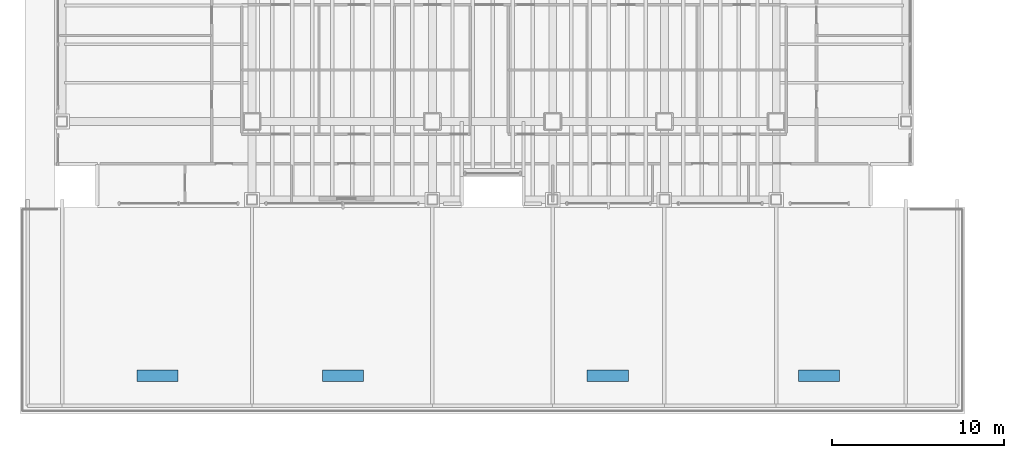
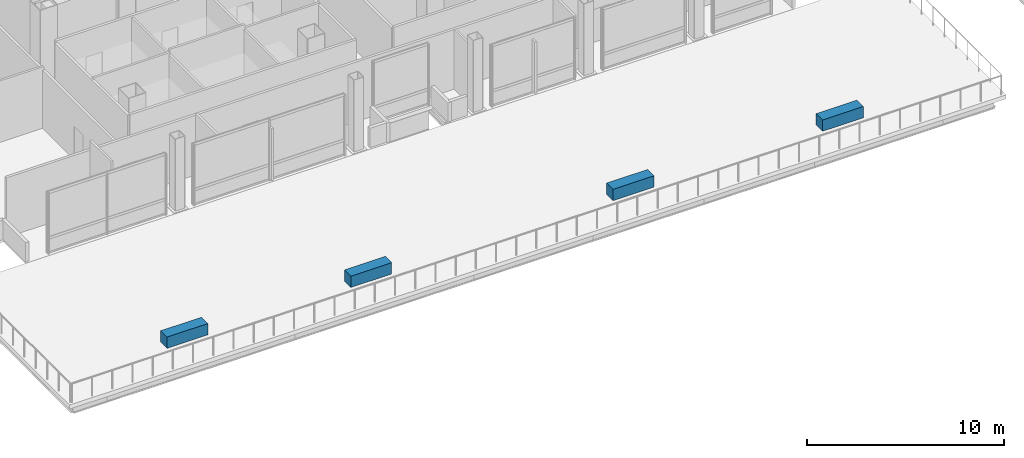
# One storey, part 30 of 34: 4 discrete accessories.
"""IFC4 building model written with IfcOpenShell, lengths in metres."""

from ifc_helpers import new_model, si_unit, direction, frame, origin, origin_2d, place, context, subcontext, project, spatial, rectangle, extrude, material, layer, layer_set, type_object, element, save


model = new_model("IFC4")

# Units and contexts
model_context = context("Model", 3, precision=1e-05, world=origin(), true_north=direction((0.0, 1.0)))
body_context = subcontext(model_context, "Body", "Model", "MODEL_VIEW")
ifc_project = project(units=[si_unit("LENGTHUNIT", "METRE"), si_unit("AREAUNIT", "SQUARE_METRE"), si_unit("VOLUMEUNIT", "CUBIC_METRE"), si_unit("PLANEANGLEUNIT", "RADIAN"), si_unit("MASSUNIT", "GRAM", prefix="KILO")], contexts=[model_context])

# Site, building, storey
site_placement = place(None, origin())
site = spatial("IfcSite", under=ifc_project, at=site_placement, CompositionType="ELEMENT")
building_placement = place(site_placement, origin())
building = spatial("IfcBuilding", under=site, at=building_placement, Name="Noeulbin Bourse Tower", CompositionType="ELEMENT")
storey_placement = place(building_placement, frame((0.0, 0.0, 22.0)))
storey = spatial("IfcBuildingStorey", under=building, at=storey_placement, Name="L05", CompositionType="ELEMENT", Elevation=22.0)

# Discrete accessories
ifc_material = material(Name="Architectural GFRC Concrete C40/50", Category="concrete")
ifc_layer = layer(ifc_material, 0.699951171875)
ifc_layer_set = layer_set([ifc_layer], Name="Architectural GFRC Concrete C40/50")
discrete_accessory_type = type_object("IfcDiscreteAccessoryType", Name="PLANTER-TER-2400", PredefinedType="USERDEFINED", material=ifc_layer_set)
for number, where, z_axis, x_axis, name in (
    (1, (8.0, 5.199951171875, 0.0), (0.0, 0.0, 1.0), (1.0, 0.0, 0.0), "Podium Terrace Tree Planter 1"),
    (2, (18.800048828125, 5.199951171875, 0.0), (0.0, 0.0, 1.0), (1.0, 0.0, 0.0), "Podium Terrace Tree Planter 2"),
    (3, (34.199951171875, 5.199951171875, 0.0), (0.0, 0.0, 1.0), (1.0, 0.0, 0.0), "Podium Terrace Tree Planter 3"),
    (4, (46.5, 5.199951171875, 0.0), (0.0, 0.0, 1.0), (1.0, 0.0, 0.0), "Podium Terrace Tree Planter 4"),
):
    element("IfcDiscreteAccessory", number, at=place(storey_placement, frame(where, z_axis=z_axis, x_axis=x_axis)), inside=storey, type_object=discrete_accessory_type, Name=name, ObjectType="PLANTER", PredefinedType="USERDEFINED", context=body_context, shape_type="SweptSolid", body=[
        extrude(rectangle(XDim=2.39990234375, YDim=0.64990234375, at=origin_2d()), origin(), (0.0, 0.0, 1.0), 0.699951171875),
    ])

save(model, "model.ifc")
